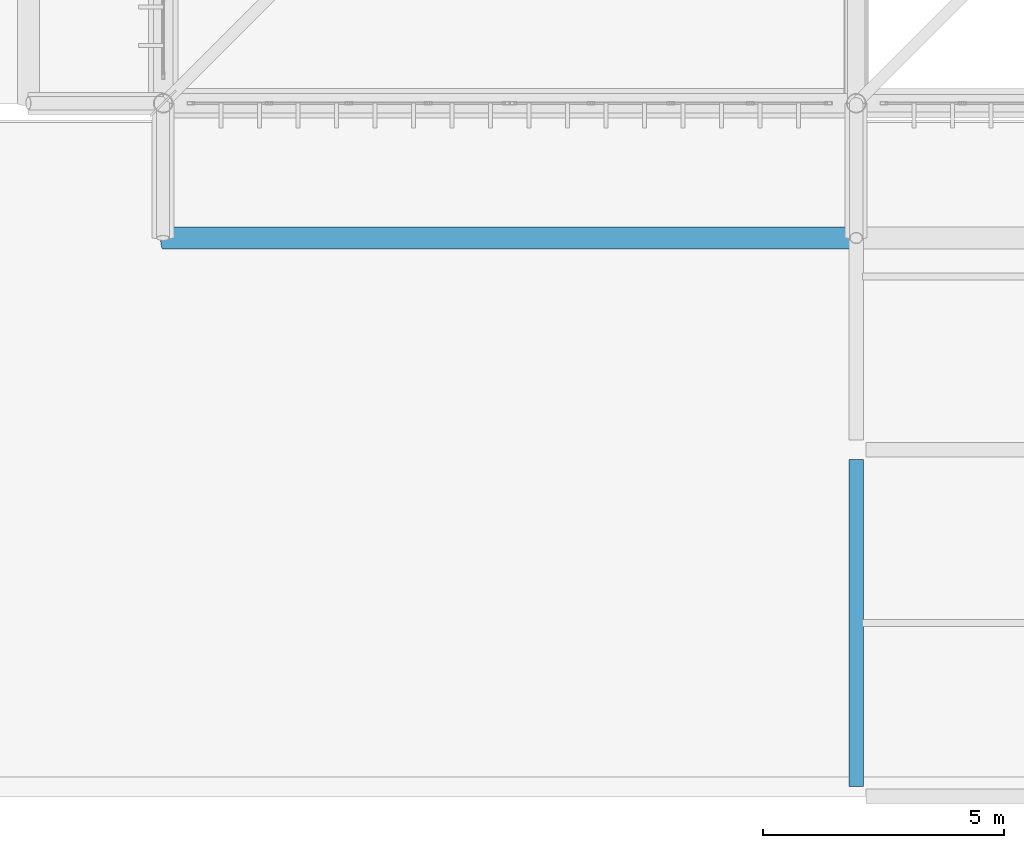
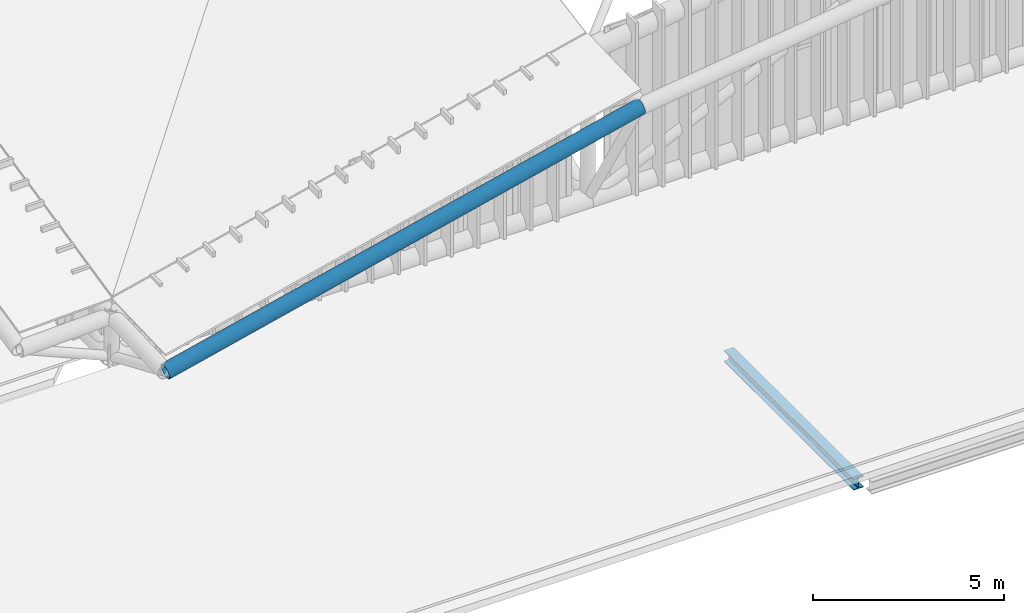
# One storey, part 2 of 397: 2 beams.
"""IFC4 building model written with IfcOpenShell, lengths in metres."""

from ifc_helpers import new_model, si_unit, direction, frame, origin, origin_2d, place, context, subcontext, project, spatial, hollow_circle, i_section, extrude, material, material_profile, profile_set, type_object, element, save


model = new_model("IFC4")

# Units and contexts
model_context = context("Model", 3, precision=1e-05, world=origin(), true_north=direction((0.0, 1.0)))
body_context = subcontext(model_context, "Body", "Model", "MODEL_VIEW")
ifc_project = project(units=[si_unit("LENGTHUNIT", "METRE"), si_unit("AREAUNIT", "SQUARE_METRE"), si_unit("VOLUMEUNIT", "CUBIC_METRE"), si_unit("PLANEANGLEUNIT", "RADIAN"), si_unit("MASSUNIT", "GRAM", prefix="KILO")], contexts=[model_context])

# Site, building, storey
site_placement = place(None, origin())
site = spatial("IfcSite", under=ifc_project, at=site_placement, CompositionType="ELEMENT")
building_placement = place(site_placement, origin())
building = spatial("IfcBuilding", under=site, at=building_placement, Name="Qandorah Velis Arena", CompositionType="ELEMENT")
storey_placement = place(building_placement, frame((0.0, 0.0, 27.5)))
storey = spatial("IfcBuildingStorey", under=building, at=storey_placement, Name="RF", CompositionType="ELEMENT", Elevation=27.5)

# Beams
ifc_material = material(Name="Steel S355", Category="steel")
ifc_material_profile_1 = material_profile(ifc_material, i_section(OverallWidth=0.300048828125, OverallDepth=0.360107421875, WebThickness=0.012451171875, FlangeThickness=0.0224609375, FilletRadius=0.027099609375, at=origin_2d()), Name="HEB 360")
ifc_profile_set_1 = profile_set([ifc_material_profile_1], Name="Steel S355")
beam_type_1 = type_object("IfcBeamType", Name="STR-BM-HEB360", PredefinedType="BEAM", material=ifc_profile_set_1)
beam_1_placement = place(storey_placement, frame((28.800048828125, 0.199951171875, -0.39990234375), z_axis=(0.0, 1.0, 0.0), x_axis=(-1.0, 0.0, 0.0)))
element("IfcBeam", 1, at=beam_1_placement, inside=storey, type_object=beam_type_1, Name="Primary floor girder RF Y-087", PredefinedType="BEAM", context=body_context, shape_type="SweptSolid", body=[
    extrude(i_section(OverallWidth=0.300048828125, OverallDepth=0.360107421875, WebThickness=0.012451171875, FlangeThickness=0.0224609375, FilletRadius=0.027099609375, at=origin_2d()), origin(), (0.0, 0.0, 1.0), 6.800048828125),
])
ifc_material_profile_2 = material_profile(ifc_material, hollow_circle(Radius=0.228515625, WallThickness=0.01611328125, at=origin_2d()), Name="CHS 457x16")
ifc_profile_set_2 = profile_set([ifc_material_profile_2], Name="Steel S355")
beam_type_2 = type_object("IfcBeamType", Name="STR-SFC-CHS457X16", PredefinedType="USERDEFINED", material=ifc_profile_set_2)
beam_2_placement = place(storey_placement, frame((14.39990234375, 11.60009765625, 1.300048828125), z_axis=(0.97245057016, 0.0, 0.233109177415), x_axis=(0.0, 1.0, 0.0)))
element("IfcBeam", 2, at=beam_2_placement, inside=storey, type_object=beam_type_2, Name="Space frame eave fascia ring S-0", ObjectType="ROOF TRUSS", PredefinedType="USERDEFINED", context=body_context, shape_type="SweptSolid", body=[
    extrude(hollow_circle(Radius=0.228515625, WallThickness=0.01611328125, at=origin_2d()), origin(), (0.0, 0.0, 1.0), 14.80810546875),
])

save(model, "model.ifc")
